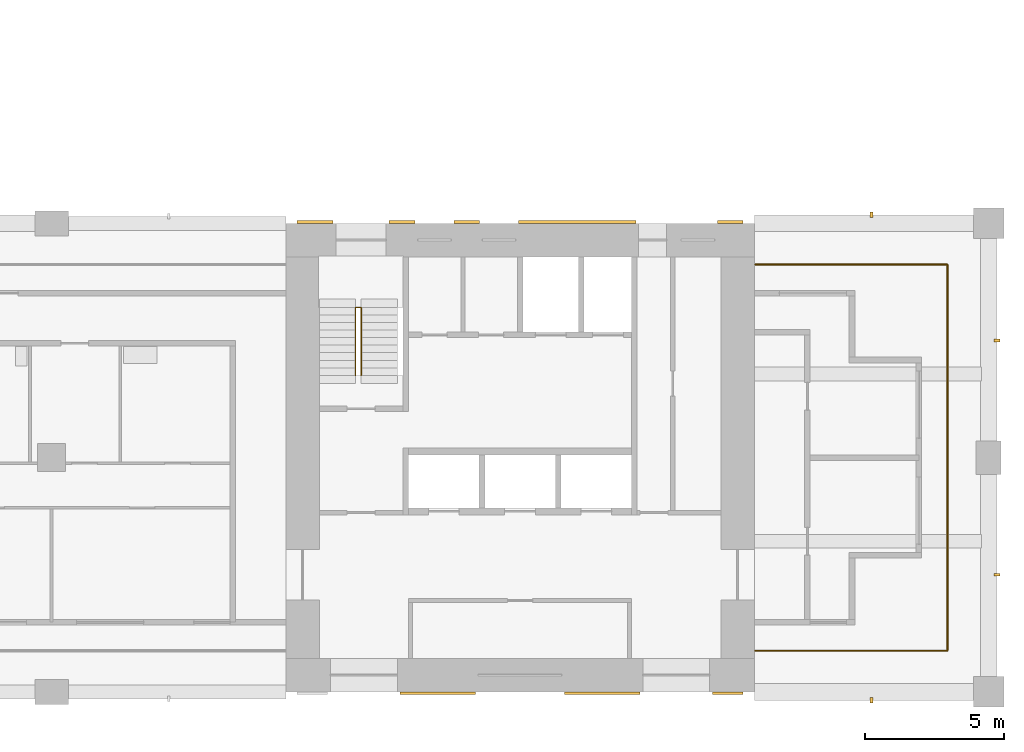
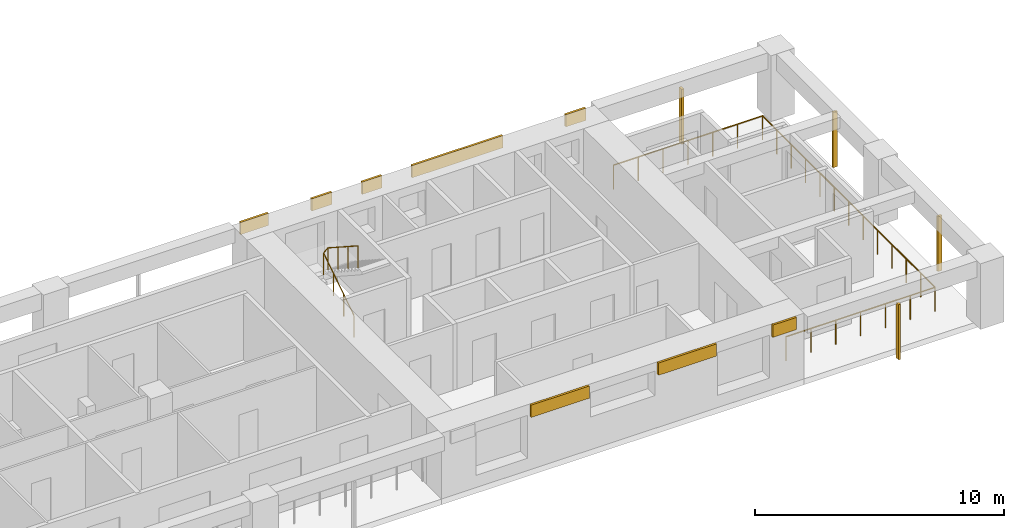
# One storey, part 8 of 10: 12 shading devices, 2 railings.
"""IFC4 building model written with IfcOpenShell, lengths in metres."""

import ifcopenshell
import ifcopenshell.guid

model = None  # the IFC model being written
_history = None  # IfcOwnerHistory: only IFC2X3 demands one
_inside = {}  # id of a spatial element -> (the spatial element, [elements in it])
_under = {}  # id of a project, library or spatial element -> (it, [spatial elements below it])
_declared = {}  # id of a project -> (the project, [libraries it declares])
_typed = {}  # id of a type object -> (the type object, [elements of that type])
_made_of = {}  # id of a material, layer set ... -> (it, [elements and type objects made of it])


def new_model(schema):
    """Start an empty IFC model of exactly this schema.

    Asked for "IFC4X3", IfcOpenShell would pick the latest addendum, in which some entities
    have other attributes; the version numbers below select the first issue.
    IFC2X3 requires an IfcOwnerHistory on every rooted entity: one is made here for all.
    """
    global model, _history
    if schema == "IFC4X3":
        model = ifcopenshell.file(schema_version=(4, 3, 0, 0))
    else:
        model = ifcopenshell.file(schema=schema)
    _inside.clear()
    _under.clear()
    _declared.clear()
    _typed.clear()
    _made_of.clear()
    _history = None
    if model.schema == "IFC2X3":
        org = make("IfcOrganization", Name="unknown")
        user = make(
            "IfcPersonAndOrganization",
            ThePerson=make("IfcPerson", FamilyName="unknown"),
            TheOrganization=org,
        )
        app = make(
            "IfcApplication",
            ApplicationDeveloper=org,
            Version="unknown",
            ApplicationFullName="unknown",
            ApplicationIdentifier="unknown",
        )
        _history = make(
            "IfcOwnerHistory",
            OwningUser=user,
            OwningApplication=app,
            ChangeAction="ADDED",
            CreationDate=0,
        )
    return model


def make(cls, **values):
    """One entity of the class cls with the attributes given. An attribute that is None is left unset."""
    return model.create_entity(
        cls, **{name: value for name, value in values.items() if value is not None}
    )


def rooted(cls, **values):
    """An entity with a GlobalId (a new one), such as an element, a storey or a relation."""
    return make(cls, GlobalId=ifcopenshell.guid.new(), OwnerHistory=_history, **values)


def si_unit(unit_type, name, prefix=None):
    """IfcSIUnit, for example si_unit("LENGTHUNIT", "METRE", prefix="MILLI")."""
    return make("IfcSIUnit", UnitType=unit_type, Prefix=prefix, Name=name)


def assignment(units):
    """IfcUnitAssignment: the units of a project."""
    return None if units is None else make("IfcUnitAssignment", Units=units)


def point(xyz):
    """IfcCartesianPoint."""
    return None if xyz is None else make("IfcCartesianPoint", Coordinates=xyz)


def direction(xyz):
    """IfcDirection."""
    return None if xyz is None else make("IfcDirection", DirectionRatios=xyz)


def frame(location, z_axis=None, x_axis=None):
    """IfcAxis2Placement3D, a coordinate frame: its origin and axes. An axis left out is left unset."""
    return make(
        "IfcAxis2Placement3D",
        Location=point(location),
        Axis=direction(z_axis),
        RefDirection=direction(x_axis),
    )


def frame_2d(location, x_axis=None):
    """IfcAxis2Placement2D, a coordinate frame in the plane: its origin and x axis."""
    return make(
        "IfcAxis2Placement2D", Location=point(location), RefDirection=direction(x_axis)
    )


def origin():
    """The frame at (0, 0, 0) with its axes left unset."""
    return frame((0.0, 0.0, 0.0))


def origin_2d():
    """The frame at (0, 0) in the plane with its x axis left unset."""
    return frame_2d((0.0, 0.0))


def place(relative_to, where):
    """IfcLocalPlacement: puts the frame where relative to a parent placement (None: the world)."""
    return make(
        "IfcLocalPlacement", PlacementRelTo=relative_to, RelativePlacement=where
    )


def context(
    kind, dimensions, precision=None, world=None, true_north=None, identifier=None
):
    """IfcGeometricRepresentationContext, for example the 3D "Model" context."""
    return make(
        "IfcGeometricRepresentationContext",
        ContextIdentifier=identifier,
        ContextType=kind,
        CoordinateSpaceDimension=dimensions,
        Precision=precision,
        WorldCoordinateSystem=world,
        TrueNorth=true_north,
    )


def subcontext(parent, identifier, kind, view, scale=None):
    """IfcGeometricRepresentationSubContext, for example "Body" below "Model"."""
    return make(
        "IfcGeometricRepresentationSubContext",
        ContextIdentifier=identifier,
        ContextType=kind,
        ParentContext=parent,
        TargetScale=scale,
        TargetView=view,
    )


def project(units=None, contexts=None):
    """IfcProject with its units and contexts."""
    return rooted(
        "IfcProject",
        Name="project",
        RepresentationContexts=contexts,
        UnitsInContext=assignment(units),
    )


def spatial(cls, under=None, at=None, **own):
    """A site, building, storey or space (cls), placed at a placement, below another one or the project."""
    s = rooted(cls, ObjectPlacement=at, **own)
    if under is not None:
        _under.setdefault(under.id(), (under, []))[1].append(s)
    return s


def profile(cls, at=None, kind="AREA", **sizes):
    """A parametric profile (cls). Its sizes go by their IFC names, for example OverallWidth=200.0."""
    return make(cls, ProfileType=kind, Position=at, **sizes)


def rectangle(**sizes):
    """IfcRectangleProfileDef."""
    return profile("IfcRectangleProfileDef", **sizes)


def circle(**sizes):
    """IfcCircleProfileDef."""
    return profile("IfcCircleProfileDef", **sizes)


def extrude(swept, where, along, depth):
    """IfcExtrudedAreaSolid: the profile swept, set in the frame where, extruded along a direction by depth."""
    return make(
        "IfcExtrudedAreaSolid",
        SweptArea=swept,
        Position=where,
        ExtrudedDirection=direction(along),
        Depth=depth,
    )


def shape(context_of_items, identifier, shape_type, items):
    """IfcShapeRepresentation: the items that make up one representation, for example the "Body"."""
    return make(
        "IfcShapeRepresentation",
        ContextOfItems=context_of_items,
        RepresentationIdentifier=identifier,
        RepresentationType=shape_type,
        Items=items,
    )


def material(Name=None, Category=None):
    """IfcMaterial."""
    return make("IfcMaterial", Name=Name, Category=Category)


def layer(
    of_material, thickness, ventilated=None, Name=None, Category=None, Priority=None
):
    """IfcMaterialLayer: one layer of a wall or slab, of a material (None: an air gap)."""
    return make(
        "IfcMaterialLayer",
        Material=of_material,
        LayerThickness=thickness,
        IsVentilated=ventilated,
        Name=Name,
        Category=Category,
        Priority=Priority,
    )


def layer_set(layers, Name=None):
    """IfcMaterialLayerSet."""
    return make("IfcMaterialLayerSet", MaterialLayers=layers, LayerSetName=Name)


def material_profile(
    of_material, cross_section, Name=None, Category=None, Priority=None
):
    """IfcMaterialProfile: a cross section and its material."""
    return make(
        "IfcMaterialProfile",
        Name=Name,
        Material=of_material,
        Profile=cross_section,
        Priority=Priority,
        Category=Category,
    )


def profile_set(profiles, Name=None, composite=None):
    """IfcMaterialProfileSet."""
    return make(
        "IfcMaterialProfileSet",
        Name=Name,
        MaterialProfiles=profiles,
        CompositeProfile=composite,
    )


def made_of(thing, what):
    """Note that an element or type object is made of a material, layer set ...; save() writes the relation."""
    if what is not None:
        _made_of.setdefault(what.id(), (what, []))[1].append(thing)
    return thing


def type_object(cls, material=None, **own):
    """A type object (cls), such as IfcWallType, which elements share."""
    return made_of(rooted(cls, **own), material)


def element(
    cls,
    number,
    at=None,
    inside=None,
    cuts=None,
    type_object=None,
    material=None,
    context=None,
    identifier="Body",
    shape_type=None,
    held_by="IfcProductDefinitionShape",
    body=None,
    shapes=None,
    **own,
):
    """One element of the class cls, such as IfcWall. Its Tag is "e" and its number.

    at: its placement. inside: the storey or other place that contains it. cuts: it is an
    opening in that element (IfcRelVoidsElement). A single representation is given by context,
    identifier, shape_type and body (its items); several are given by shapes. held_by: the class
    of the entity that holds the representations. save() writes the other relations.
    """
    e = rooted(cls, Tag="e%d" % number, ObjectPlacement=at, **own)
    if body is not None:
        shapes = [shape(context, identifier, shape_type, body)]
    if shapes is not None:
        e.Representation = make(held_by, Representations=shapes)
    if inside is not None:
        _inside.setdefault(inside.id(), (inside, []))[1].append(e)
    if cuts is not None:
        rooted(
            "IfcRelVoidsElement", RelatingBuildingElement=cuts, RelatedOpeningElement=e
        )
    if type_object is not None:
        _typed.setdefault(type_object.id(), (type_object, []))[1].append(e)
    return made_of(e, material)


def aggregate(whole, parts):
    """IfcRelAggregates: a whole, such as a stair, and the parts it consists of."""
    return rooted("IfcRelAggregates", RelatingObject=whole, RelatedObjects=parts)


def save(model, path):
    """Write the relations noted so far, then the file.

    IfcRelAggregates (storeys below a building ...), IfcRelContainedInSpatialStructure (elements
    in a storey), IfcRelDefinesByType, IfcRelAssociatesMaterial and IfcRelDeclares: one each for
    every whole, place, type object, material and project.
    """
    for whole, parts in _under.values():
        aggregate(whole, parts)
    for where, things in _inside.values():
        rooted(
            "IfcRelContainedInSpatialStructure",
            RelatedElements=things,
            RelatingStructure=where,
        )
    for kind, things in _typed.values():
        rooted("IfcRelDefinesByType", RelatedObjects=things, RelatingType=kind)
    for what, things in _made_of.values():
        rooted("IfcRelAssociatesMaterial", RelatedObjects=things, RelatingMaterial=what)
    for by, libraries in _declared.values():
        rooted("IfcRelDeclares", RelatingContext=by, RelatedDefinitions=libraries)
    model.write(path)


model = new_model("IFC4")

# Units and contexts
model_context = context("Model", 3, precision=1e-05, world=origin(), true_north=direction((0.0, 1.0)))
body_context = subcontext(model_context, "Body", "Model", "MODEL_VIEW")
ifc_project = project(units=[si_unit("LENGTHUNIT", "METRE"), si_unit("AREAUNIT", "SQUARE_METRE"), si_unit("VOLUMEUNIT", "CUBIC_METRE"), si_unit("PLANEANGLEUNIT", "RADIAN"), si_unit("MASSUNIT", "GRAM", prefix="KILO")], contexts=[model_context])

# Site, building, storey
site_placement = place(None, origin())
site = spatial("IfcSite", under=ifc_project, at=site_placement, CompositionType="ELEMENT")
building_placement = place(site_placement, origin())
building = spatial("IfcBuilding", under=site, at=building_placement, Name="Vermilion Gate Residences", CompositionType="ELEMENT")
storey_placement = place(building_placement, frame((0.0, 0.0, 172.199951171875)))
storey = spatial("IfcBuildingStorey", under=building, at=storey_placement, Name="L44", CompositionType="ELEMENT", Elevation=172.199951171875)

# Railings
ifc_material_1 = material(Name="Stainless steel and toughened glass", Category="steel")
railing_type_1 = type_object("IfcRailingType", Name="LOGGIA GUARD STEEL AND GLASS 1200", PredefinedType="GUARDRAIL", material=ifc_material_1)
railing_1_placement = place(storey_placement, frame((58.822021484375, 9.875, 0.0)))
element("IfcRailing", 1, at=railing_1_placement, inside=storey, type_object=railing_type_1, Name="Loggia guard", PredefinedType="GUARDRAIL", context=body_context, shape_type="SweptSolid", body=[
    extrude(circle(Radius=0.030029296875, at=origin_2d()), frame((0.0, 0.0, 1.169921875), z_axis=(1.0, 0.0, 0.0), x_axis=(0.0, 1.0, 0.0)), (0.0, 0.0, 1.0), 6.903076171875),
    extrude(circle(Radius=0.030029296875, at=origin_2d()), frame((6.903076171875, 0.0, 1.169921875), z_axis=(0.0, 1.0, 0.0), x_axis=(-1.0, 0.0, 0.0)), (0.0, 0.0, 1.0), 13.85009765625),
    extrude(circle(Radius=0.030029296875, at=origin_2d()), frame((6.903076171875, 13.85009765625, 1.169921875), z_axis=(-1.0, 0.0, 0.0), x_axis=(0.0, -1.0, 0.0)), (0.0, 0.0, 1.0), 6.903076171875),
    extrude(circle(Radius=0.02490234375, at=origin_2d()), origin(), (0.0, 0.0, 1.0), 1.139892578125),
    extrude(circle(Radius=0.02490234375, at=origin_2d()), frame((1.150390625, 0.0, 0.0)), (0.0, 0.0, 1.0), 1.139892578125),
    extrude(circle(Radius=0.02490234375, at=origin_2d()), frame((2.301025390625, 0.0, 0.0)), (0.0, 0.0, 1.0), 1.139892578125),
    extrude(circle(Radius=0.02490234375, at=origin_2d()), frame((3.45166015625, 0.0, 0.0)), (0.0, 0.0, 1.0), 1.139892578125),
    extrude(circle(Radius=0.02490234375, at=origin_2d()), frame((4.60205078125, 0.0, 0.0)), (0.0, 0.0, 1.0), 1.139892578125),
    extrude(circle(Radius=0.02490234375, at=origin_2d()), frame((5.75244140625, 0.0, 0.0)), (0.0, 0.0, 1.0), 1.139892578125),
    extrude(circle(Radius=0.02490234375, at=origin_2d()), frame((6.903076171875, 0.0, 0.0)), (0.0, 0.0, 1.0), 1.139892578125),
    extrude(circle(Radius=0.02490234375, at=origin_2d()), frame((6.903076171875, 1.154296875, 0.0)), (0.0, 0.0, 1.0), 1.139892578125),
    extrude(circle(Radius=0.02490234375, at=origin_2d()), frame((6.903076171875, 2.308349609375, 0.0)), (0.0, 0.0, 1.0), 1.139892578125),
    extrude(circle(Radius=0.02490234375, at=origin_2d()), frame((6.903076171875, 3.46240234375, 0.0)), (0.0, 0.0, 1.0), 1.139892578125),
    extrude(circle(Radius=0.02490234375, at=origin_2d()), frame((6.903076171875, 4.61669921875, 0.0)), (0.0, 0.0, 1.0), 1.139892578125),
    extrude(circle(Radius=0.02490234375, at=origin_2d()), frame((6.903076171875, 5.77099609375, 0.0)), (0.0, 0.0, 1.0), 1.139892578125),
    extrude(circle(Radius=0.02490234375, at=origin_2d()), frame((6.903076171875, 6.925048828125, 0.0)), (0.0, 0.0, 1.0), 1.139892578125),
    extrude(circle(Radius=0.02490234375, at=origin_2d()), frame((6.903076171875, 8.0791015625, 0.0)), (0.0, 0.0, 1.0), 1.139892578125),
    extrude(circle(Radius=0.02490234375, at=origin_2d()), frame((6.903076171875, 9.2333984375, 0.0)), (0.0, 0.0, 1.0), 1.139892578125),
    extrude(circle(Radius=0.02490234375, at=origin_2d()), frame((6.903076171875, 10.3876953125, 0.0)), (0.0, 0.0, 1.0), 1.139892578125),
    extrude(circle(Radius=0.02490234375, at=origin_2d()), frame((6.903076171875, 11.541748046875, 0.0)), (0.0, 0.0, 1.0), 1.139892578125),
    extrude(circle(Radius=0.02490234375, at=origin_2d()), frame((6.903076171875, 12.69580078125, 0.0)), (0.0, 0.0, 1.0), 1.139892578125),
    extrude(circle(Radius=0.02490234375, at=origin_2d()), frame((6.903076171875, 13.85009765625, 0.0)), (0.0, 0.0, 1.0), 1.139892578125),
    extrude(circle(Radius=0.02490234375, at=origin_2d()), frame((5.75244140625, 13.85009765625, 0.0)), (0.0, 0.0, 1.0), 1.139892578125),
    extrude(circle(Radius=0.02490234375, at=origin_2d()), frame((4.60205078125, 13.85009765625, 0.0)), (0.0, 0.0, 1.0), 1.139892578125),
    extrude(circle(Radius=0.02490234375, at=origin_2d()), frame((3.45166015625, 13.85009765625, 0.0)), (0.0, 0.0, 1.0), 1.139892578125),
    extrude(circle(Radius=0.02490234375, at=origin_2d()), frame((2.301025390625, 13.85009765625, 0.0)), (0.0, 0.0, 1.0), 1.139892578125),
    extrude(circle(Radius=0.02490234375, at=origin_2d()), frame((1.150390625, 13.85009765625, 0.0)), (0.0, 0.0, 1.0), 1.139892578125),
    extrude(circle(Radius=0.02490234375, at=origin_2d()), frame((0.0, 13.85009765625, 0.0)), (0.0, 0.0, 1.0), 1.139892578125),
])
ifc_material_2 = material(Name="Steel S355", Category="steel")
railing_type_2 = type_object("IfcRailingType", Name="STAIR GUARD 1100 STEEL", PredefinedType="GUARDRAIL", material=ifc_material_2)
railing_2_placement = place(storey_placement, frame((44.5, 19.75, 0.175048828125)))
element("IfcRailing", 2, at=railing_2_placement, inside=storey, type_object=railing_type_2, Name="Stair well guard STA1-44", PredefinedType="GUARDRAIL", context=body_context, shape_type="SweptSolid", body=[
    extrude(circle(Radius=0.02392578125, at=origin_2d()), frame((0.0, 0.0, 1.076171875), z_axis=(0.0, 0.839153699163, 0.543894354798), x_axis=(-1.0, 0.0, 0.0)), (0.0, 0.0, 1.0), 2.895751953125),
    extrude(circle(Radius=0.02392578125, at=origin_2d()), frame((0.0, 2.429931640625, 2.65087890625), z_axis=(0.752405939678, 0.0, 0.658699705433), x_axis=(0.0, 1.0, 0.0)), (0.0, 0.0, 1.0), 0.265869140625),
    extrude(circle(Radius=0.02392578125, at=origin_2d()), frame((0.199951171875, 2.429931640625, 2.826171875), z_axis=(0.0, -0.839153699163, 0.543894354798), x_axis=(1.0, 0.0, 0.0)), (0.0, 0.0, 1.0), 2.895751953125),
    extrude(circle(Radius=0.02099609375, at=origin_2d()), origin(), (0.0, 0.0, 1.0), 1.052001953125),
    extrude(circle(Radius=0.02099609375, at=origin_2d()), frame((0.0, 0.81005859375, 0.52490234375)), (0.0, 0.0, 1.0), 1.052001953125),
    extrude(circle(Radius=0.02099609375, at=origin_2d()), frame((0.0, 1.619873046875, 1.050048828125)), (0.0, 0.0, 1.0), 1.052001953125),
    extrude(circle(Radius=0.02099609375, at=origin_2d()), frame((0.0, 2.429931640625, 1.574951171875)), (0.0, 0.0, 1.0), 1.052001953125),
    extrude(circle(Radius=0.02099609375, at=origin_2d()), frame((0.199951171875, 2.429931640625, 1.75)), (0.0, 0.0, 1.0), 1.052001953125),
    extrude(circle(Radius=0.02099609375, at=origin_2d()), frame((0.199951171875, 1.619873046875, 2.27490234375)), (0.0, 0.0, 1.0), 1.052001953125),
    extrude(circle(Radius=0.02099609375, at=origin_2d()), frame((0.199951171875, 0.81005859375, 2.800048828125)), (0.0, 0.0, 1.0), 1.052001953125),
    extrude(circle(Radius=0.02099609375, at=origin_2d()), frame((0.199951171875, 0.0, 3.324951171875)), (0.0, 0.0, 1.0), 1.052001953125),
])

# Shading devices
ifc_material_3 = material(Name="Extruded terracotta", Category="masonry")
ifc_material_profile = material_profile(ifc_material_3, rectangle(XDim=0.199951171875, YDim=0.10009765625, at=origin_2d()), Name="BAGUETTE 100 X 200")
ifc_profile_set = profile_set([ifc_material_profile], Name="Extruded terracotta")
shading_device_type_1 = type_object("IfcShadingDeviceType", Name="TERRACOTTA BAGUETTE 100 X 200", PredefinedType="JALOUSIE", material=ifc_profile_set)
for number, where, z_axis, x_axis, name in (
    (3, (63.0, 8.10009765625, -0.280029296875), (0.0, 0.0, 1.0), (0.0, 1.0, 0.0), "BAGUETTE"),
    (4, (67.5, 12.60009765625, -0.280029296875), (0.0, 0.0, 1.0), (-1.0, 0.0, 0.0), "BAGUETTE"),
    (5, (67.5, 21.0, -0.280029296875), (0.0, 0.0, 1.0), (-1.0, 0.0, 0.0), "BAGUETTE"),
    (6, (63.0, 25.5, -0.280029296875), (0.0, 0.0, 1.0), (0.0, -1.0, 0.0), "BAGUETTE"),
):
    element("IfcShadingDevice", number, at=place(storey_placement, frame(where, z_axis=z_axis, x_axis=x_axis)), inside=storey, type_object=shading_device_type_1, Name=name, PredefinedType="JALOUSIE", context=body_context, shape_type="SweptSolid", body=[
        extrude(rectangle(XDim=0.199951171875, YDim=0.10009765625, at=origin_2d()), origin(), (0.0, 0.0, 1.0), 2.7001953125),
    ])
ifc_material_4 = material(Name="Extruded terracotta", Category="masonry")
ifc_layer = layer(ifc_material_4, 0.10009765625)
ifc_layer_set = layer_set([ifc_layer], Name="TERRACOTTA SPANDREL BAND 600 X 100")
shading_device_type_2 = type_object("IfcShadingDeviceType", Name="TERRACOTTA SPANDREL BAND 600 X 100", PredefinedType="USERDEFINED", material=ifc_layer_set)
for number, where, z_axis, x_axis, name in (
    (7, (47.449951171875, 8.35009765625, 2.6201171875), (0.0, 0.0, 1.0), (1.0, 0.0, 0.0), "SPANDREL BAND"),
    (8, (53.35009765625, 8.35009765625, 2.6201171875), (0.0, 0.0, 1.0), (1.0, 0.0, 0.0), "SPANDREL BAND"),
):
    element("IfcShadingDevice", number, at=place(storey_placement, frame(where, z_axis=z_axis, x_axis=x_axis)), inside=storey, type_object=shading_device_type_2, Name=name, ObjectType="BAND", PredefinedType="USERDEFINED", context=body_context, shape_type="SweptSolid", body=[
        extrude(rectangle(XDim=2.699951171875, YDim=0.10009765625, at=origin_2d()), origin(), (0.0, 0.0, 1.0), 0.60009765625),
    ])
shading_device_1_placement = place(storey_placement, frame((57.85009765625, 8.35009765625, 2.6201171875), z_axis=(0.0, 0.0, 1.0), x_axis=(1.0, 0.0, 0.0)))
element("IfcShadingDevice", 9, at=shading_device_1_placement, inside=storey, type_object=shading_device_type_2, Name="SPANDREL BAND", ObjectType="BAND", PredefinedType="USERDEFINED", context=body_context, shape_type="SweptSolid", body=[
    extrude(rectangle(XDim=1.10009765625, YDim=0.10009765625, at=origin_2d()), origin(), (0.0, 0.0, 1.0), 0.60009765625),
])
shading_device_2_placement = place(storey_placement, frame((43.050048828125, 25.25, 2.6201171875), z_axis=(0.0, 0.0, 1.0), x_axis=(1.0, 0.0, 0.0)))
element("IfcShadingDevice", 10, at=shading_device_2_placement, inside=storey, type_object=shading_device_type_2, Name="SPANDREL BAND", ObjectType="BAND", PredefinedType="USERDEFINED", context=body_context, shape_type="SweptSolid", body=[
    extrude(rectangle(XDim=1.300048828125, YDim=0.10009765625, at=origin_2d()), origin(), (0.0, 0.0, 1.0), 0.60009765625),
])
shading_device_3_placement = place(storey_placement, frame((46.168701171875, 25.25, 2.6201171875), z_axis=(0.0, 0.0, 1.0), x_axis=(1.0, 0.0, 0.0)))
element("IfcShadingDevice", 11, at=shading_device_3_placement, inside=storey, type_object=shading_device_type_2, Name="SPANDREL BAND", ObjectType="BAND", PredefinedType="USERDEFINED", context=body_context, shape_type="SweptSolid", body=[
    extrude(rectangle(XDim=0.9375, YDim=0.10009765625, at=origin_2d()), origin(), (0.0, 0.0, 1.0), 0.60009765625),
])
shading_device_4_placement = place(storey_placement, frame((48.49365234375, 25.25, 2.6201171875), z_axis=(0.0, 0.0, 1.0), x_axis=(1.0, 0.0, 0.0)))
element("IfcShadingDevice", 12, at=shading_device_4_placement, inside=storey, type_object=shading_device_type_2, Name="SPANDREL BAND", ObjectType="BAND", PredefinedType="USERDEFINED", context=body_context, shape_type="SweptSolid", body=[
    extrude(rectangle(XDim=0.91259765625, YDim=0.10009765625, at=origin_2d()), origin(), (0.0, 0.0, 1.0), 0.60009765625),
])
shading_device_5_placement = place(storey_placement, frame((52.449951171875, 25.25, 2.6201171875), z_axis=(0.0, 0.0, 1.0), x_axis=(1.0, 0.0, 0.0)))
element("IfcShadingDevice", 13, at=shading_device_5_placement, inside=storey, type_object=shading_device_type_2, Name="SPANDREL BAND", ObjectType="BAND", PredefinedType="USERDEFINED", context=body_context, shape_type="SweptSolid", body=[
    extrude(rectangle(XDim=4.199951171875, YDim=0.10009765625, at=origin_2d()), origin(), (0.0, 0.0, 1.0), 0.60009765625),
])
shading_device_6_placement = place(storey_placement, frame((57.9375, 25.25, 2.6201171875), z_axis=(0.0, 0.0, 1.0), x_axis=(1.0, 0.0, 0.0)))
element("IfcShadingDevice", 14, at=shading_device_6_placement, inside=storey, type_object=shading_device_type_2, Name="SPANDREL BAND", ObjectType="BAND", PredefinedType="USERDEFINED", context=body_context, shape_type="SweptSolid", body=[
    extrude(rectangle(XDim=0.925048828125, YDim=0.10009765625, at=origin_2d()), origin(), (0.0, 0.0, 1.0), 0.60009765625),
])

save(model, "model.ifc")
